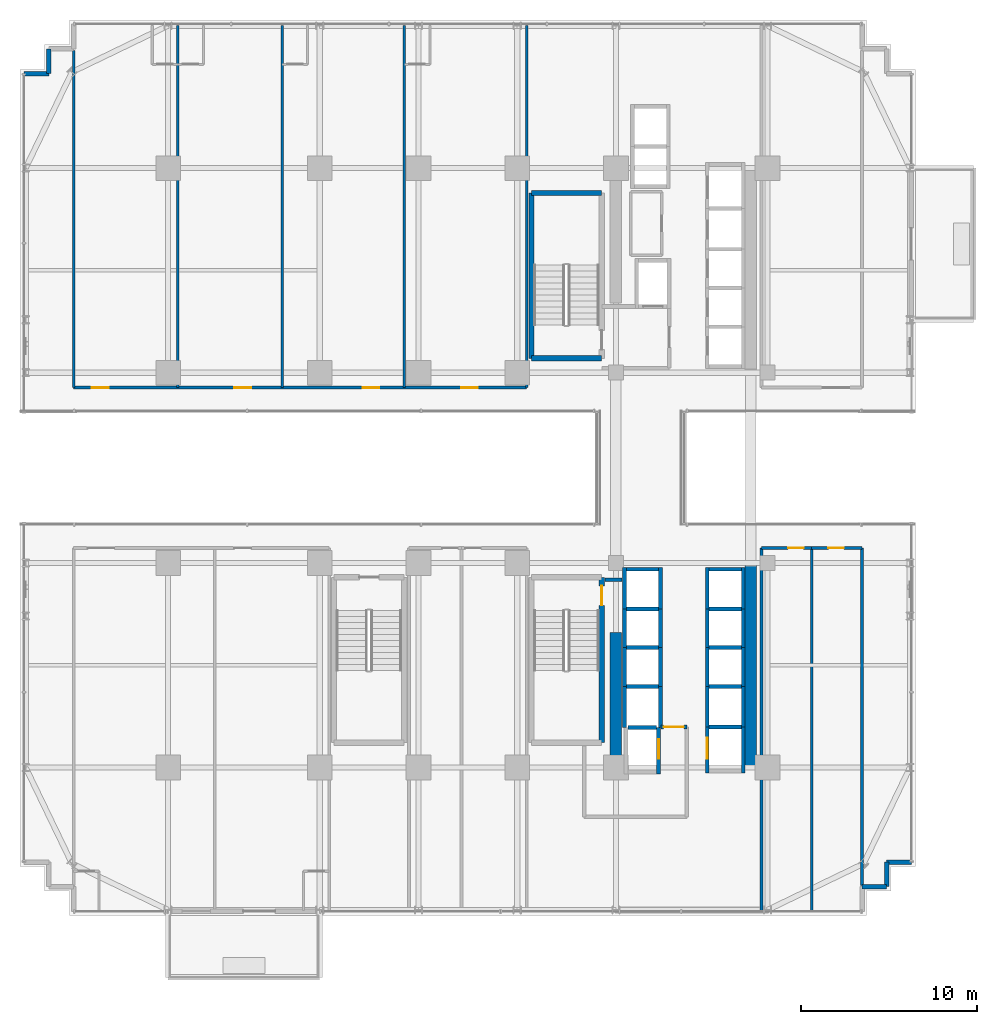
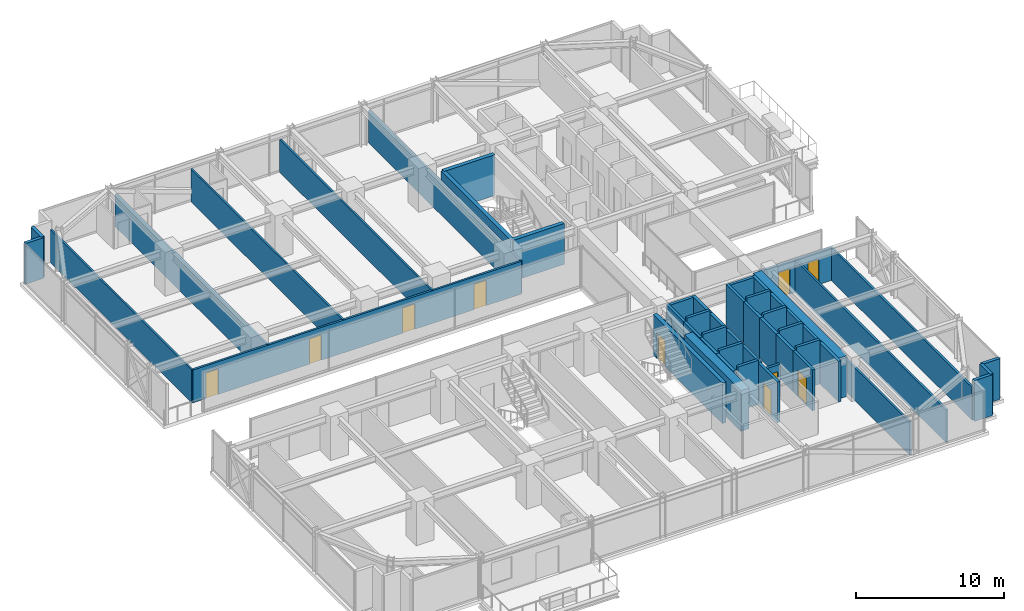
# One storey, part 36 of 43: 53 walls, 10 doors, 10 openings.
"""IFC4 building model written with IfcOpenShell, lengths in metres."""

import ifcopenshell
import ifcopenshell.guid

model = None  # the IFC model being written
_history = None  # IfcOwnerHistory: only IFC2X3 demands one
_inside = {}  # id of a spatial element -> (the spatial element, [elements in it])
_under = {}  # id of a project, library or spatial element -> (it, [spatial elements below it])
_declared = {}  # id of a project -> (the project, [libraries it declares])
_typed = {}  # id of a type object -> (the type object, [elements of that type])
_made_of = {}  # id of a material, layer set ... -> (it, [elements and type objects made of it])


def new_model(schema):
    """Start an empty IFC model of exactly this schema.

    Asked for "IFC4X3", IfcOpenShell would pick the latest addendum, in which some entities
    have other attributes; the version numbers below select the first issue.
    IFC2X3 requires an IfcOwnerHistory on every rooted entity: one is made here for all.
    """
    global model, _history
    if schema == "IFC4X3":
        model = ifcopenshell.file(schema_version=(4, 3, 0, 0))
    else:
        model = ifcopenshell.file(schema=schema)
    _inside.clear()
    _under.clear()
    _declared.clear()
    _typed.clear()
    _made_of.clear()
    _history = None
    if model.schema == "IFC2X3":
        org = make("IfcOrganization", Name="unknown")
        user = make(
            "IfcPersonAndOrganization",
            ThePerson=make("IfcPerson", FamilyName="unknown"),
            TheOrganization=org,
        )
        app = make(
            "IfcApplication",
            ApplicationDeveloper=org,
            Version="unknown",
            ApplicationFullName="unknown",
            ApplicationIdentifier="unknown",
        )
        _history = make(
            "IfcOwnerHistory",
            OwningUser=user,
            OwningApplication=app,
            ChangeAction="ADDED",
            CreationDate=0,
        )
    return model


def make(cls, **values):
    """One entity of the class cls with the attributes given. An attribute that is None is left unset."""
    return model.create_entity(
        cls, **{name: value for name, value in values.items() if value is not None}
    )


def rooted(cls, **values):
    """An entity with a GlobalId (a new one), such as an element, a storey or a relation."""
    return make(cls, GlobalId=ifcopenshell.guid.new(), OwnerHistory=_history, **values)


def si_unit(unit_type, name, prefix=None):
    """IfcSIUnit, for example si_unit("LENGTHUNIT", "METRE", prefix="MILLI")."""
    return make("IfcSIUnit", UnitType=unit_type, Prefix=prefix, Name=name)


def assignment(units):
    """IfcUnitAssignment: the units of a project."""
    return None if units is None else make("IfcUnitAssignment", Units=units)


def point(xyz):
    """IfcCartesianPoint."""
    return None if xyz is None else make("IfcCartesianPoint", Coordinates=xyz)


def direction(xyz):
    """IfcDirection."""
    return None if xyz is None else make("IfcDirection", DirectionRatios=xyz)


def frame(location, z_axis=None, x_axis=None):
    """IfcAxis2Placement3D, a coordinate frame: its origin and axes. An axis left out is left unset."""
    return make(
        "IfcAxis2Placement3D",
        Location=point(location),
        Axis=direction(z_axis),
        RefDirection=direction(x_axis),
    )


def frame_2d(location, x_axis=None):
    """IfcAxis2Placement2D, a coordinate frame in the plane: its origin and x axis."""
    return make(
        "IfcAxis2Placement2D", Location=point(location), RefDirection=direction(x_axis)
    )


def origin():
    """The frame at (0, 0, 0) with its axes left unset."""
    return frame((0.0, 0.0, 0.0))


def place(relative_to, where):
    """IfcLocalPlacement: puts the frame where relative to a parent placement (None: the world)."""
    return make(
        "IfcLocalPlacement", PlacementRelTo=relative_to, RelativePlacement=where
    )


def context(
    kind, dimensions, precision=None, world=None, true_north=None, identifier=None
):
    """IfcGeometricRepresentationContext, for example the 3D "Model" context."""
    return make(
        "IfcGeometricRepresentationContext",
        ContextIdentifier=identifier,
        ContextType=kind,
        CoordinateSpaceDimension=dimensions,
        Precision=precision,
        WorldCoordinateSystem=world,
        TrueNorth=true_north,
    )


def subcontext(parent, identifier, kind, view, scale=None):
    """IfcGeometricRepresentationSubContext, for example "Body" below "Model"."""
    return make(
        "IfcGeometricRepresentationSubContext",
        ContextIdentifier=identifier,
        ContextType=kind,
        ParentContext=parent,
        TargetScale=scale,
        TargetView=view,
    )


def project(units=None, contexts=None):
    """IfcProject with its units and contexts."""
    return rooted(
        "IfcProject",
        Name="project",
        RepresentationContexts=contexts,
        UnitsInContext=assignment(units),
    )


def spatial(cls, under=None, at=None, **own):
    """A site, building, storey or space (cls), placed at a placement, below another one or the project."""
    s = rooted(cls, ObjectPlacement=at, **own)
    if under is not None:
        _under.setdefault(under.id(), (under, []))[1].append(s)
    return s


def profile(cls, at=None, kind="AREA", **sizes):
    """A parametric profile (cls). Its sizes go by their IFC names, for example OverallWidth=200.0."""
    return make(cls, ProfileType=kind, Position=at, **sizes)


def rectangle(**sizes):
    """IfcRectangleProfileDef."""
    return profile("IfcRectangleProfileDef", **sizes)


def extrude(swept, where, along, depth):
    """IfcExtrudedAreaSolid: the profile swept, set in the frame where, extruded along a direction by depth."""
    return make(
        "IfcExtrudedAreaSolid",
        SweptArea=swept,
        Position=where,
        ExtrudedDirection=direction(along),
        Depth=depth,
    )


def shape(context_of_items, identifier, shape_type, items):
    """IfcShapeRepresentation: the items that make up one representation, for example the "Body"."""
    return make(
        "IfcShapeRepresentation",
        ContextOfItems=context_of_items,
        RepresentationIdentifier=identifier,
        RepresentationType=shape_type,
        Items=items,
    )


def source(mapping_origin, context_of_items, identifier, shape_type, items):
    """IfcRepresentationMap: a shape defined once, which mapped items show again and again."""
    return make(
        "IfcRepresentationMap",
        MappingOrigin=mapping_origin,
        MappedRepresentation=shape(context_of_items, identifier, shape_type, items),
    )


def transform(
    local_origin,
    x_axis=None,
    y_axis=None,
    z_axis=None,
    scale=None,
    scale2=None,
    scale3=None,
    uniform=True,
):
    """IfcCartesianTransformationOperator3D, or its non-uniform kind. x_axis, y_axis, z_axis: its Axis1, 2, 3."""
    if uniform:
        return make(
            "IfcCartesianTransformationOperator3D",
            Axis1=direction(x_axis),
            Axis2=direction(y_axis),
            LocalOrigin=point(local_origin),
            Scale=scale,
            Axis3=direction(z_axis),
        )
    return make(
        "IfcCartesianTransformationOperator3DnonUniform",
        Axis1=direction(x_axis),
        Axis2=direction(y_axis),
        LocalOrigin=point(local_origin),
        Scale=scale,
        Axis3=direction(z_axis),
        Scale2=scale2,
        Scale3=scale3,
    )


def mapped(mapping_source, mapping_target):
    """IfcMappedItem: shows the shape of a source again, moved by a transform."""
    return make(
        "IfcMappedItem", MappingSource=mapping_source, MappingTarget=mapping_target
    )


def material(Name=None, Category=None):
    """IfcMaterial."""
    return make("IfcMaterial", Name=Name, Category=Category)


def layer(
    of_material, thickness, ventilated=None, Name=None, Category=None, Priority=None
):
    """IfcMaterialLayer: one layer of a wall or slab, of a material (None: an air gap)."""
    return make(
        "IfcMaterialLayer",
        Material=of_material,
        LayerThickness=thickness,
        IsVentilated=ventilated,
        Name=Name,
        Category=Category,
        Priority=Priority,
    )


def layer_set(layers, Name=None):
    """IfcMaterialLayerSet."""
    return make("IfcMaterialLayerSet", MaterialLayers=layers, LayerSetName=Name)


def made_of(thing, what):
    """Note that an element or type object is made of a material, layer set ...; save() writes the relation."""
    if what is not None:
        _made_of.setdefault(what.id(), (what, []))[1].append(thing)
    return thing


def type_object(cls, material=None, **own):
    """A type object (cls), such as IfcWallType, which elements share."""
    return made_of(rooted(cls, **own), material)


def element(
    cls,
    number,
    at=None,
    inside=None,
    cuts=None,
    type_object=None,
    material=None,
    context=None,
    identifier="Body",
    shape_type=None,
    held_by="IfcProductDefinitionShape",
    body=None,
    shapes=None,
    **own,
):
    """One element of the class cls, such as IfcWall. Its Tag is "e" and its number.

    at: its placement. inside: the storey or other place that contains it. cuts: it is an
    opening in that element (IfcRelVoidsElement). A single representation is given by context,
    identifier, shape_type and body (its items); several are given by shapes. held_by: the class
    of the entity that holds the representations. save() writes the other relations.
    """
    e = rooted(cls, Tag="e%d" % number, ObjectPlacement=at, **own)
    if body is not None:
        shapes = [shape(context, identifier, shape_type, body)]
    if shapes is not None:
        e.Representation = make(held_by, Representations=shapes)
    if inside is not None:
        _inside.setdefault(inside.id(), (inside, []))[1].append(e)
    if cuts is not None:
        rooted(
            "IfcRelVoidsElement", RelatingBuildingElement=cuts, RelatedOpeningElement=e
        )
    if type_object is not None:
        _typed.setdefault(type_object.id(), (type_object, []))[1].append(e)
    return made_of(e, material)


def fill(opening, filler):
    """IfcRelFillsElement: the door or window that sits in an opening."""
    return rooted(
        "IfcRelFillsElement",
        RelatingOpeningElement=opening,
        RelatedBuildingElement=filler,
    )


def aggregate(whole, parts):
    """IfcRelAggregates: a whole, such as a stair, and the parts it consists of."""
    return rooted("IfcRelAggregates", RelatingObject=whole, RelatedObjects=parts)


def save(model, path):
    """Write the relations noted so far, then the file.

    IfcRelAggregates (storeys below a building ...), IfcRelContainedInSpatialStructure (elements
    in a storey), IfcRelDefinesByType, IfcRelAssociatesMaterial and IfcRelDeclares: one each for
    every whole, place, type object, material and project.
    """
    for whole, parts in _under.values():
        aggregate(whole, parts)
    for where, things in _inside.values():
        rooted(
            "IfcRelContainedInSpatialStructure",
            RelatedElements=things,
            RelatingStructure=where,
        )
    for kind, things in _typed.values():
        rooted("IfcRelDefinesByType", RelatedObjects=things, RelatingType=kind)
    for what, things in _made_of.values():
        rooted("IfcRelAssociatesMaterial", RelatedObjects=things, RelatingMaterial=what)
    for by, libraries in _declared.values():
        rooted("IfcRelDeclares", RelatingContext=by, RelatedDefinitions=libraries)
    model.write(path)


model = new_model("IFC4")

# Units and contexts
model_context = context("Model", 3, precision=1e-05, world=origin(), true_north=direction((0.0, 1.0)))
body_context = subcontext(model_context, "Body", "Model", "MODEL_VIEW")
ifc_project = project(units=[si_unit("LENGTHUNIT", "METRE"), si_unit("AREAUNIT", "SQUARE_METRE"), si_unit("VOLUMEUNIT", "CUBIC_METRE"), si_unit("PLANEANGLEUNIT", "RADIAN"), si_unit("MASSUNIT", "GRAM", prefix="KILO")], contexts=[model_context])

# Site, building, storey
site_placement = place(None, origin())
site = spatial("IfcSite", under=ifc_project, at=site_placement, CompositionType="ELEMENT")
building_placement = place(site_placement, origin())
building = spatial("IfcBuilding", under=site, at=building_placement, Name="Nahalor Promenade Grand Hotel", CompositionType="ELEMENT")
storey_placement = place(building_placement, frame((0.0, 0.0, 57.949951171875)))
storey = spatial("IfcBuildingStorey", under=building, at=storey_placement, Name="L13", CompositionType="ELEMENT", Elevation=57.949951171875)

# Walls
ifc_material_1 = material(Name="Concrete B-60 (C50/60)", Category="concrete")
ifc_layer_1 = layer(ifc_material_1, 0.64990234375)
ifc_layer_set_1 = layer_set([ifc_layer_1], Name="Concrete B-60 (C50/60)")
wall_type_1 = type_object("IfcWallType", Name="Wall-CoreShear-650", PredefinedType="SHEAR", material=ifc_layer_set_1)
shared_shape_1 = source(origin(), body_context, "Body", "SweptSolid", [
    extrude(rectangle(XDim=7.64990234375, YDim=0.64990234375, at=frame_2d((3.824951171875, 0.0))), origin(), (0.0, 0.0, 1.0), 3.3701171875),
])
wall_1_placement = place(storey_placement, frame((8.39990234375, -17.0, 0.0), z_axis=(0.0, 0.0, 1.0), x_axis=(0.0, 1.0, 0.0)))
element("IfcWall", 1, at=wall_1_placement, inside=storey, type_object=wall_type_1, Name="CWALL-L13-SW", PredefinedType="SHEAR", context=body_context, shape_type="MappedRepresentation", body=[
    mapped(shared_shape_1, transform((0.0, 0.0, 0.0), scale=1.0)),
])
shared_shape_2 = source(origin(), body_context, "Body", "SweptSolid", [
    extrude(rectangle(XDim=11.60009765625, YDim=0.64990234375, at=frame_2d((5.800048828125, 0.0))), origin(), (0.0, 0.0, 1.0), 3.3701171875),
])
wall_2_placement = place(storey_placement, frame((16.050048828125, -17.0, 0.0), z_axis=(0.0, 0.0, 1.0), x_axis=(0.0, 1.0, 0.0)))
element("IfcWall", 2, at=wall_2_placement, inside=storey, type_object=wall_type_1, Name="CWALL-L13-SE", PredefinedType="SHEAR", context=body_context, shape_type="MappedRepresentation", body=[
    mapped(shared_shape_2, transform((0.0, 0.0, 0.0), scale=1.0)),
])
ifc_material_2 = material(Name="Concrete B-50 (C40/50)", Category="concrete")
ifc_layer_2 = layer(ifc_material_2, 0.300048828125)
ifc_layer_set_2 = layer_set([ifc_layer_2], Name="Concrete B-50 (C40/50)")
wall_type_2 = type_object("IfcWallType", Name="Wall-ShaftShear-300", PredefinedType="SHEAR", material=ifc_layer_set_2)
shared_shape_3 = source(origin(), body_context, "Body", "SweptSolid", [
    extrude(rectangle(XDim=3.97998046875, YDim=0.300048828125, at=frame_2d((1.989990234375, 0.0))), origin(), (0.0, 0.0, 1.0), 3.3701171875),
])
for number, where, z_axis, x_axis, name in (
    (3, (3.610107421875, 6.2099609375, 0.0), (0.0, 0.0, 1.0), (1.0, 0.0, 0.0), "L13 Exit Stair ST1 Shaft Wall S"),
    (4, (3.610107421875, 15.590087890625, 0.0), (0.0, 0.0, 1.0), (1.0, 0.0, 0.0), "L13 Exit Stair ST1 Shaft Wall N"),
):
    element("IfcWall", number, at=place(storey_placement, frame(where, z_axis=z_axis, x_axis=x_axis)), inside=storey, type_object=wall_type_2, Name=name, PredefinedType="SHEAR", context=body_context, shape_type="MappedRepresentation", body=[
        mapped(shared_shape_3, transform((0.0, 0.0, 0.0), scale=1.0)),
    ])
shared_shape_4 = source(origin(), body_context, "Body", "SweptSolid", [
    extrude(rectangle(XDim=9.380126953125, YDim=0.300048828125, at=frame_2d((4.68994140625, 0.0))), origin(), (0.0, 0.0, 1.0), 3.3701171875),
])
wall_3_placement = place(storey_placement, frame((3.610107421875, 6.2099609375, 0.0), z_axis=(0.0, 0.0, 1.0), x_axis=(0.0, 1.0, 0.0)))
element("IfcWall", 5, at=wall_3_placement, inside=storey, type_object=wall_type_2, Name="L13 Exit Stair ST1 Shaft Wall W", PredefinedType="SHEAR", context=body_context, shape_type="MappedRepresentation", body=[
    mapped(shared_shape_4, transform((0.0, 0.0, 0.0), scale=1.0)),
])

# Wall, opening, door
wall_4_placement = place(storey_placement, frame((7.590087890625, -15.590087890625, 0.0), z_axis=(0.0, 0.0, 1.0), x_axis=(0.0, 1.0, 0.0)))
wall_4 = element("IfcWall", 6, at=wall_4_placement, inside=storey, type_object=wall_type_2, Name="L13 Exit Stair ST2 Shaft Wall E", PredefinedType="SHEAR", context=body_context, shape_type="MappedRepresentation", body=[
    mapped(shared_shape_4, transform((0.0, 0.0, 0.0), scale=1.0)),
])
opening_1_placement = place(wall_4_placement, frame((7.7900390625, 0.0, 0.0)))
opening_1 = element("IfcOpeningElement", 7, at=opening_1_placement, cuts=wall_4, Name="Opening D-ST1", PredefinedType="OPENING", context=body_context, shape_type="SweptSolid", body=[
    extrude(rectangle(XDim=1.10009765625, YDim=2.14990234375, at=frame_2d((0.550048828125, 1.074951171875))), frame((0.0, 0.159912109375, 0.0), z_axis=(0.0, -1.0, 0.0), x_axis=(1.0, 0.0, 0.0)), (0.0, 0.0, 1.0), 0.320068359375),
])
ifc_material_3 = material(Name="Steel S355JR", Category="steel")
door_type_1 = type_object("IfcDoorType", Name="Door-StairFire-1100", OperationType="NOTDEFINED", PredefinedType="DOOR", material=ifc_material_3)
shared_shape_5 = source(origin(), body_context, "Body", "SweptSolid", [
    extrude(rectangle(XDim=1.10009765625, YDim=2.14990234375, at=frame_2d((0.550048828125, 1.074951171875))), frame((0.0, 0.02490234375, 0.0), z_axis=(0.0, -1.0, 0.0), x_axis=(1.0, 0.0, 0.0)), (0.0, 0.0, 1.0), 0.050048828125),
])
door_1_placement = place(opening_1_placement, origin())
door_1 = element("IfcDoor", 8, at=door_1_placement, inside=storey, type_object=door_type_1, Name="DR-STAIR-ST2-L13", OperationType="SINGLE_SWING_RIGHT", OverallHeight=2.14990234375, OverallWidth=1.10009765625, PredefinedType="DOOR", context=body_context, shape_type="MappedRepresentation", body=[
    mapped(shared_shape_5, transform((0.0, 0.0, 0.0), scale=1.0)),
])
fill(opening_1, door_1)

# Walls
ifc_layer_3 = layer(ifc_material_2, 0.219970703125)
ifc_layer_set_3 = layer_set([ifc_layer_3], Name="Concrete B-50 (C40/50)")
wall_type_3 = type_object("IfcWallType", Name="Wall-LiftShaft-220", PredefinedType="SHEAR", material=ifc_layer_set_3)
shared_shape_6 = source(origin(), body_context, "Body", "SweptSolid", [
    extrude(rectangle(XDim=2.360107421875, YDim=0.219970703125, at=frame_2d((1.18017578125, 0.0))), origin(), (0.0, 0.0, 1.0), 3.3701171875),
])
for number, where, z_axis, x_axis, name in (
    (9, (13.580078125, -8.0, 0.0), (0.0, 0.0, 1.0), (0.0, 1.0, 0.0), "L13 Lift PL5 Hoistway Wall W"),
    (10, (15.6201171875, -8.0, 0.0), (0.0, 0.0, 1.0), (0.0, 1.0, 0.0), "L13 Lift PL5 Hoistway Wall E"),
    (11, (8.8798828125, -8.0, 0.0), (0.0, 0.0, 1.0), (0.0, 1.0, 0.0), "L13 Lift PL9 Hoistway Wall W"),
    (12, (10.919921875, -8.0, 0.0), (0.0, 0.0, 1.0), (0.0, 1.0, 0.0), "L13 Lift PL9 Hoistway Wall E"),
):
    element("IfcWall", number, at=place(storey_placement, frame(where, z_axis=z_axis, x_axis=x_axis)), inside=storey, type_object=wall_type_3, Name=name, PredefinedType="SHEAR", context=body_context, shape_type="MappedRepresentation", body=[
        mapped(shared_shape_6, transform((0.0, 0.0, 0.0), scale=1.0)),
    ])
shared_shape_7 = source(origin(), body_context, "Body", "SweptSolid", [
    extrude(rectangle(XDim=1.820068359375, YDim=0.219970703125, at=frame_2d((0.91015625, 0.0))), origin(), (0.0, 0.0, 1.0), 3.3701171875),
])
for number, where, z_axis, x_axis, name in (
    (13, (13.68994140625, -5.75, 0.0), (0.0, 0.0, 1.0), (1.0, 0.0, 0.0), "L13 Lift PL5 Hoistway Wall N"),
    (14, (8.989990234375, -5.75, 0.0), (0.0, 0.0, 1.0), (1.0, 0.0, 0.0), "L13 Lift PL9 Hoistway Wall N"),
):
    element("IfcWall", number, at=place(storey_placement, frame(where, z_axis=z_axis, x_axis=x_axis)), inside=storey, type_object=wall_type_3, Name=name, PredefinedType="SHEAR", context=body_context, shape_type="MappedRepresentation", body=[
        mapped(shared_shape_7, transform((0.0, 0.0, 0.0), scale=1.0)),
    ])
shared_shape_8 = source(origin(), body_context, "Body", "SweptSolid", [
    extrude(rectangle(XDim=1.820068359375, YDim=0.219970703125, at=frame_2d((0.91015625, 0.0))), origin(), (0.0, 0.0, 1.0), 3.650146484375),
])
for number, where, z_axis, x_axis, name in (
    (15, (13.68994140625, -8.0, 0.0), (0.0, 0.0, 1.0), (1.0, 0.0, 0.0), "L13 Lift PL6 Hoistway Wall N"),
    (16, (13.68994140625, -10.199951171875, 0.0), (0.0, 0.0, 1.0), (1.0, 0.0, 0.0), "L13 Lift PL7 Hoistway Wall N"),
    (17, (13.68994140625, -12.39990234375, 0.0), (0.0, 0.0, 1.0), (1.0, 0.0, 0.0), "L13 Lift PL8 Hoistway Wall N"),
    (18, (8.989990234375, -8.0, 0.0), (0.0, 0.0, 1.0), (1.0, 0.0, 0.0), "L13 Lift PL10 Hoistway Wall N"),
    (19, (8.989990234375, -10.199951171875, 0.0), (0.0, 0.0, 1.0), (1.0, 0.0, 0.0), "L13 Lift PL11 Hoistway Wall N"),
    (20, (8.989990234375, -12.39990234375, 0.0), (0.0, 0.0, 1.0), (1.0, 0.0, 0.0), "L13 Lift PL12 Hoistway Wall N"),
    (21, (13.68994140625, -14.699951171875, 0.0), (0.0, 0.0, 1.0), (1.0, 0.0, 0.0), "L13 Lift SV2 Hoistway Wall N"),
):
    element("IfcWall", number, at=place(storey_placement, frame(where, z_axis=z_axis, x_axis=x_axis)), inside=storey, type_object=wall_type_3, Name=name, PredefinedType="SHEAR", context=body_context, shape_type="MappedRepresentation", body=[
        mapped(shared_shape_8, transform((0.0, 0.0, 0.0), scale=1.0)),
    ])
shared_shape_9 = source(origin(), body_context, "Body", "SweptSolid", [
    extrude(rectangle(XDim=2.199951171875, YDim=0.219970703125, at=frame_2d((1.10009765625, 0.0))), origin(), (0.0, 0.0, 1.0), 3.3701171875),
])
for number, where, z_axis, x_axis, name in (
    (22, (13.580078125, -10.199951171875, 0.0), (0.0, 0.0, 1.0), (0.0, 1.0, 0.0), "L13 Lift PL6 Hoistway Wall W"),
    (23, (15.6201171875, -10.199951171875, 0.0), (0.0, 0.0, 1.0), (0.0, 1.0, 0.0), "L13 Lift PL6 Hoistway Wall E"),
    (24, (13.580078125, -12.39990234375, 0.0), (0.0, 0.0, 1.0), (0.0, 1.0, 0.0), "L13 Lift PL7 Hoistway Wall W"),
    (25, (15.6201171875, -12.39990234375, 0.0), (0.0, 0.0, 1.0), (0.0, 1.0, 0.0), "L13 Lift PL7 Hoistway Wall E"),
    (26, (8.8798828125, -10.199951171875, 0.0), (0.0, 0.0, 1.0), (0.0, 1.0, 0.0), "L13 Lift PL10 Hoistway Wall W"),
    (27, (10.919921875, -10.199951171875, 0.0), (0.0, 0.0, 1.0), (0.0, 1.0, 0.0), "L13 Lift PL10 Hoistway Wall E"),
    (28, (8.8798828125, -12.39990234375, 0.0), (0.0, 0.0, 1.0), (0.0, 1.0, 0.0), "L13 Lift PL11 Hoistway Wall W"),
    (29, (10.919921875, -12.39990234375, 0.0), (0.0, 0.0, 1.0), (0.0, 1.0, 0.0), "L13 Lift PL11 Hoistway Wall E"),
):
    element("IfcWall", number, at=place(storey_placement, frame(where, z_axis=z_axis, x_axis=x_axis)), inside=storey, type_object=wall_type_3, Name=name, PredefinedType="SHEAR", context=body_context, shape_type="MappedRepresentation", body=[
        mapped(shared_shape_9, transform((0.0, 0.0, 0.0), scale=1.0)),
    ])
shared_shape_10 = source(origin(), body_context, "Body", "SweptSolid", [
    extrude(rectangle(XDim=2.300048828125, YDim=0.219970703125, at=frame_2d((1.14990234375, 0.0))), origin(), (0.0, 0.0, 1.0), 3.3701171875),
])
for number, where, z_axis, x_axis, name in (
    (30, (13.580078125, -14.699951171875, 0.0), (0.0, 0.0, 1.0), (0.0, 1.0, 0.0), "L13 Lift PL8 Hoistway Wall W"),
    (31, (15.6201171875, -14.699951171875, 0.0), (0.0, 0.0, 1.0), (0.0, 1.0, 0.0), "L13 Lift PL8 Hoistway Wall E"),
):
    element("IfcWall", number, at=place(storey_placement, frame(where, z_axis=z_axis, x_axis=x_axis)), inside=storey, type_object=wall_type_3, Name=name, PredefinedType="SHEAR", context=body_context, shape_type="MappedRepresentation", body=[
        mapped(shared_shape_10, transform((0.0, 0.0, 0.0), scale=1.0)),
    ])
shared_shape_11 = source(origin(), body_context, "Body", "SweptSolid", [
    extrude(rectangle(XDim=2.3251953125, YDim=0.219970703125, at=frame_2d((1.16259765625, 0.0))), origin(), (0.0, 0.0, 1.0), 3.3701171875),
])
for number, where, z_axis, x_axis, name in (
    (32, (8.8798828125, -14.72509765625, 0.0), (0.0, 0.0, 1.0), (0.0, 1.0, 0.0), "L13 Lift PL12 Hoistway Wall W"),
    (33, (10.919921875, -14.72509765625, 0.0), (0.0, 0.0, 1.0), (0.0, 1.0, 0.0), "L13 Lift PL12 Hoistway Wall E"),
):
    element("IfcWall", number, at=place(storey_placement, frame(where, z_axis=z_axis, x_axis=x_axis)), inside=storey, type_object=wall_type_3, Name=name, PredefinedType="SHEAR", context=body_context, shape_type="MappedRepresentation", body=[
        mapped(shared_shape_11, transform((0.0, 0.0, 0.0), scale=1.0)),
    ])

# Wall, opening, door
shared_shape_12 = source(origin(), body_context, "Body", "SweptSolid", [
    extrude(rectangle(XDim=2.635009765625, YDim=0.219970703125, at=frame_2d((1.3173828125, 0.0))), origin(), (0.0, 0.0, 1.0), 3.3701171875),
])
wall_5_placement = place(storey_placement, frame((10.820068359375, -17.360107421875, 0.0), z_axis=(0.0, 0.0, 1.0), x_axis=(0.0, 1.0, 0.0)))
wall_5 = element("IfcWall", 34, at=wall_5_placement, inside=storey, type_object=wall_type_3, Name="L13 Lift FL2 Hoistway Wall E", PredefinedType="SHEAR", context=body_context, shape_type="MappedRepresentation", body=[
    mapped(shared_shape_12, transform((0.0, 0.0, 0.0), scale=1.0)),
])
opening_2_placement = place(wall_5_placement, frame((0.860107421875, 0.0, 0.0)))
opening_2 = element("IfcOpeningElement", 35, at=opening_2_placement, cuts=wall_5, Name="Opening LD-02", PredefinedType="OPENING", context=body_context, shape_type="SweptSolid", body=[
    extrude(rectangle(XDim=1.10009765625, YDim=2.199951171875, at=frame_2d((0.550048828125, 1.10009765625))), frame((0.0, 0.119873046875, 0.0), z_axis=(0.0, -1.0, 0.0), x_axis=(1.0, 0.0, 0.0)), (0.0, 0.0, 1.0), 0.239990234375),
])
door_type_2 = type_object("IfcDoorType", Name="Door-LiftFF-1100", OperationType="DOUBLE_DOOR_SLIDING", PredefinedType="DOOR", material=ifc_material_3)
shared_shape_13 = source(origin(), body_context, "Body", "SweptSolid", [
    extrude(rectangle(XDim=1.10009765625, YDim=2.199951171875, at=frame_2d((0.550048828125, 1.10009765625))), frame((0.0, 0.02490234375, 0.0), z_axis=(0.0, -1.0, 0.0), x_axis=(1.0, 0.0, 0.0)), (0.0, 0.0, 1.0), 0.050048828125),
])
door_2_placement = place(opening_2_placement, frame((1.10009765625, 0.0, 0.0), z_axis=(0.0, 0.0, 1.0), x_axis=(-1.0, 0.0, 0.0)))
door_2 = element("IfcDoor", 36, at=door_2_placement, inside=storey, type_object=door_type_2, Name="DR-LIFT-FL2-L13", OperationType="DOUBLE_DOOR_SLIDING", OverallHeight=2.199951171875, OverallWidth=1.10009765625, PredefinedType="DOOR", context=body_context, shape_type="MappedRepresentation", body=[
    mapped(shared_shape_13, transform((0.0, 0.0, 0.0), scale=1.0)),
])
fill(opening_2, door_2)

# Wall
shared_shape_14 = source(origin(), body_context, "Body", "SweptSolid", [
    extrude(rectangle(XDim=1.619873046875, YDim=0.219970703125, at=frame_2d((0.81005859375, 0.0))), origin(), (0.0, 0.0, 1.0), 3.650146484375),
])
wall_6_placement = place(storey_placement, frame((9.090087890625, -14.72509765625, 0.0), z_axis=(0.0, 0.0, 1.0), x_axis=(1.0, 0.0, 0.0)))
element("IfcWall", 37, at=wall_6_placement, inside=storey, type_object=wall_type_3, Name="L13 Lift FL2 Hoistway Wall N", PredefinedType="SHEAR", context=body_context, shape_type="MappedRepresentation", body=[
    mapped(shared_shape_14, transform((0.0, 0.0, 0.0), scale=1.0)),
])

# Wall, opening, door
shared_shape_15 = source(origin(), body_context, "Body", "SweptSolid", [
    extrude(rectangle(XDim=2.610107421875, YDim=0.219970703125, at=frame_2d((1.30517578125, 0.0))), origin(), (0.0, 0.0, 1.0), 3.3701171875),
])
wall_7_placement = place(storey_placement, frame((13.580078125, -17.31005859375, 0.0), z_axis=(0.0, 0.0, 1.0), x_axis=(0.0, 1.0, 0.0)))
wall_7 = element("IfcWall", 38, at=wall_7_placement, inside=storey, type_object=wall_type_3, Name="L13 Lift SV2 Hoistway Wall W", PredefinedType="SHEAR", context=body_context, shape_type="MappedRepresentation", body=[
    mapped(shared_shape_15, transform((0.0, 0.0, 0.0), scale=1.0)),
])
opening_3_placement = place(wall_7_placement, frame((0.81005859375, 0.0, 0.0)))
opening_3 = element("IfcOpeningElement", 39, at=opening_3_placement, cuts=wall_7, Name="Opening LD-03", PredefinedType="OPENING", context=body_context, shape_type="SweptSolid", body=[
    extrude(rectangle(XDim=1.199951171875, YDim=2.199951171875, at=frame_2d((0.60009765625, 1.10009765625))), frame((0.0, 0.119873046875, 0.0), z_axis=(0.0, -1.0, 0.0), x_axis=(1.0, 0.0, 0.0)), (0.0, 0.0, 1.0), 0.239990234375),
])
door_type_3 = type_object("IfcDoorType", Name="Door-LiftService-1200", OperationType="DOUBLE_DOOR_SLIDING", PredefinedType="DOOR", material=ifc_material_3)
shared_shape_16 = source(origin(), body_context, "Body", "SweptSolid", [
    extrude(rectangle(XDim=1.199951171875, YDim=2.199951171875, at=frame_2d((0.60009765625, 1.10009765625))), frame((0.0, 0.02490234375, 0.0), z_axis=(0.0, -1.0, 0.0), x_axis=(1.0, 0.0, 0.0)), (0.0, 0.0, 1.0), 0.050048828125),
])
door_3_placement = place(opening_3_placement, origin())
door_3 = element("IfcDoor", 40, at=door_3_placement, inside=storey, type_object=door_type_3, Name="DR-LIFT-SV2-L13", OperationType="DOUBLE_DOOR_SLIDING", OverallHeight=2.199951171875, OverallWidth=1.199951171875, PredefinedType="DOOR", context=body_context, shape_type="MappedRepresentation", body=[
    mapped(shared_shape_16, transform((0.0, 0.0, 0.0), scale=1.0)),
])
fill(opening_3, door_3)

# Walls
wall_8_placement = place(storey_placement, frame((15.6201171875, -17.31005859375, 0.0), z_axis=(0.0, 0.0, 1.0), x_axis=(0.0, 1.0, 0.0)))
element("IfcWall", 41, at=wall_8_placement, inside=storey, type_object=wall_type_3, Name="L13 Lift SV2 Hoistway Wall E", PredefinedType="SHEAR", context=body_context, shape_type="MappedRepresentation", body=[
    mapped(shared_shape_15, transform((0.0, 0.0, 0.0), scale=1.0)),
])
ifc_material_4 = material(Name="Concrete B-40 (C32/40)", Category="concrete")
ifc_layer_4 = layer(ifc_material_4, 0.25)
ifc_layer_set_4 = layer_set([ifc_layer_4], Name="Concrete B-40 (C32/40)")
wall_type_4 = type_object("IfcWallType", Name="Wall-BronzePier-250", PredefinedType="STANDARD", material=ifc_layer_set_4)
shared_shape_17 = source(origin(), body_context, "Body", "SweptSolid", [
    extrude(rectangle(XDim=1.39990234375, YDim=0.25, at=frame_2d((0.699951171875, 0.0))), origin(), (0.0, 0.0, 1.0), 3.3701171875),
])
for number, where, z_axis, x_axis, name in (
    (42, (22.360107421875, -23.760009765625, 0.0), (0.0, 0.0, 1.0), (1.0, 0.0, 0.0), "W-L13-SR-02"),
    (43, (23.760009765625, -23.760009765625, 0.0), (0.0, 0.0, 1.0), (0.0, 1.0, 0.0), "W-L13-SR-03"),
    (44, (23.760009765625, -22.360107421875, 0.0), (0.0, 0.0, 1.0), (1.0, 0.0, 0.0), "W-L13-SR-04"),
    (45, (-23.760009765625, 22.360107421875, 0.0), (0.0, 0.0, 1.0), (0.0, 1.0, 0.0), "W-L13-SR-11"),
    (46, (-25.159912109375, 22.360107421875, 0.0), (0.0, 0.0, 1.0), (1.0, 0.0, 0.0), "W-L13-SR-12"),
):
    element("IfcWall", number, at=place(storey_placement, frame(where, z_axis=z_axis, x_axis=x_axis)), inside=storey, type_object=wall_type_4, Name=name, PredefinedType="STANDARD", context=body_context, shape_type="MappedRepresentation", body=[
        mapped(shared_shape_17, transform((0.0, 0.0, 0.0), scale=1.0)),
    ])

# Wall, opening, door
ifc_layer_5 = layer(ifc_material_4, 0.199951171875)
ifc_layer_set_5 = layer_set([ifc_layer_5], Name="Concrete B-40 (C32/40)")
wall_type_5 = type_object("IfcWallType", Name="Wall-PartFire-200", PredefinedType="PARTITIONING", material=ifc_layer_set_5)
shared_shape_18 = source(origin(), body_context, "Body", "SweptSolid", [
    extrude(rectangle(XDim=1.4599609375, YDim=0.199951171875, at=frame_2d((0.72998046875, 0.0))), origin(), (0.0, 0.0, 1.0), 2.7099609375),
])
wall_9_placement = place(storey_placement, frame((10.9599609375, -14.699951171875, 0.0), z_axis=(0.0, 0.0, 1.0), x_axis=(1.0, 0.0, 0.0)))
wall_9 = element("IfcWall", 47, at=wall_9_placement, inside=storey, type_object=wall_type_5, Name="W-L13-FF2-N1", PredefinedType="PARTITIONING", context=body_context, shape_type="MappedRepresentation", body=[
    mapped(shared_shape_18, transform((0.0, 0.0, 0.0), scale=1.0)),
])
opening_4_placement = place(wall_9_placement, frame((0.14501953125, 0.0, 0.0)))
opening_4 = element("IfcOpeningElement", 48, at=opening_4_placement, cuts=wall_9, Name="Opening D-FF1", PredefinedType="OPENING", context=body_context, shape_type="SweptSolid", body=[
    extrude(rectangle(XDim=1.14990234375, YDim=2.14990234375, at=frame_2d((0.574951171875, 1.074951171875))), frame((0.0, 0.10986328125, 0.0), z_axis=(0.0, -1.0, 0.0), x_axis=(1.0, 0.0, 0.0)), (0.0, 0.0, 1.0), 0.219970703125),
])
door_type_4 = type_object("IfcDoorType", Name="Door-FFLobby-1150", OperationType="NOTDEFINED", PredefinedType="DOOR", material=ifc_material_3)
shared_shape_19 = source(origin(), body_context, "Body", "SweptSolid", [
    extrude(rectangle(XDim=1.14990234375, YDim=2.14990234375, at=frame_2d((0.574951171875, 1.074951171875))), frame((0.0, 0.02490234375, 0.0), z_axis=(0.0, -1.0, 0.0), x_axis=(1.0, 0.0, 0.0)), (0.0, 0.0, 1.0), 0.050048828125),
])
door_4_placement = place(opening_4_placement, origin())
door_4 = element("IfcDoor", 49, at=door_4_placement, inside=storey, type_object=door_type_4, Name="DR-L13-FFL2", OperationType="SINGLE_SWING_LEFT", OverallHeight=2.14990234375, OverallWidth=1.14990234375, PredefinedType="DOOR", context=body_context, shape_type="MappedRepresentation", body=[
    mapped(shared_shape_19, transform((0.0, 0.0, 0.0), scale=1.0)),
])
fill(opening_4, door_4)

# Walls
shared_shape_20 = source(origin(), body_context, "Body", "SweptSolid", [
    extrude(rectangle(XDim=0.969970703125, YDim=0.199951171875, at=frame_2d((0.48486328125, 0.0))), origin(), (0.0, 0.0, 1.0), 2.7099609375),
])
wall_10_placement = place(storey_placement, frame((7.77001953125, -6.35009765625, 0.0), z_axis=(0.0, 0.0, 1.0), x_axis=(1.0, 0.0, 0.0)))
element("IfcWall", 50, at=wall_10_placement, inside=storey, type_object=wall_type_5, Name="W-L13-FF2-N2", PredefinedType="PARTITIONING", context=body_context, shape_type="MappedRepresentation", body=[
    mapped(shared_shape_20, transform((0.0, 0.0, 0.0), scale=1.0)),
])
ifc_material_5 = material(Name="Acoustic Mineral Gypsum", Category="gypsum")
ifc_layer_6 = layer(ifc_material_5, 0.159912109375)
ifc_layer_set_6 = layer_set([ifc_layer_6], Name="Acoustic Mineral Gypsum")
wall_type_6 = type_object("IfcWallType", Name="Wall-PartCorridor-160", PredefinedType="PARTITIONING", material=ifc_layer_set_6)
shared_shape_21 = source(origin(), body_context, "Body", "SweptSolid", [
    extrude(rectangle(XDim=20.550048828125, YDim=0.159912109375, at=frame_2d((10.27490234375, 0.0))), origin(), (0.0, 0.0, 1.0), 2.7099609375),
])
for number, where, z_axis, x_axis, name in (
    (51, (16.64990234375, -25.10009765625, 0.0), (0.0, 0.0, 1.0), (0.0, 1.0, 0.0), "W-L13-ESE1-W"),
    (52, (19.5048828125, -25.10009765625, 0.0), (0.0, 0.0, 1.0), (0.0, 1.0, 0.0), "W-L13-ESE1-E"),
):
    element("IfcWall", number, at=place(storey_placement, frame(where, z_axis=z_axis, x_axis=x_axis)), inside=storey, type_object=wall_type_6, Name=name, PredefinedType="PARTITIONING", context=body_context, shape_type="MappedRepresentation", body=[
        mapped(shared_shape_21, transform((0.0, 0.0, 0.0), scale=1.0)),
    ])
shared_shape_22 = source(origin(), body_context, "Body", "SweptSolid", [
    extrude(rectangle(XDim=19.1298828125, YDim=0.159912109375, at=frame_2d((9.56494140625, 0.0))), origin(), (0.0, 0.0, 1.0), 2.7099609375),
])
wall_11_placement = place(storey_placement, frame((22.360107421875, -23.679931640625, 0.0), z_axis=(0.0, 0.0, 1.0), x_axis=(0.0, 1.0, 0.0)))
element("IfcWall", 53, at=wall_11_placement, inside=storey, type_object=wall_type_6, Name="W-L13-ESE2-E", PredefinedType="PARTITIONING", context=body_context, shape_type="MappedRepresentation", body=[
    mapped(shared_shape_22, transform((0.0, 0.0, 0.0), scale=1.0)),
])

# Wall, openings, doors
shared_shape_23 = source(origin(), body_context, "Body", "SweptSolid", [
    extrude(rectangle(XDim=25.7001953125, YDim=0.159912109375, at=frame_2d((12.85009765625, 0.0))), origin(), (0.0, 0.0, 1.0), 2.7099609375),
])
wall_12_placement = place(storey_placement, frame((-22.360107421875, 4.550048828125, 0.0), z_axis=(0.0, 0.0, 1.0), x_axis=(1.0, 0.0, 0.0)))
wall_12 = element("IfcWall", 54, at=wall_12_placement, inside=storey, type_object=wall_type_6, Name="W-L13-CORR-N", PredefinedType="PARTITIONING", context=body_context, shape_type="MappedRepresentation", body=[
    mapped(shared_shape_23, transform((0.0, 0.0, 0.0), scale=1.0)),
])
opening_5_placement = place(wall_12_placement, frame((1.037109375, 0.0, 0.0)))
opening_5 = element("IfcOpeningElement", 55, at=opening_5_placement, cuts=wall_12, Name="Opening D-01", PredefinedType="OPENING", context=body_context, shape_type="SweptSolid", body=[
    extrude(rectangle(XDim=0.949951171875, YDim=2.10009765625, at=frame_2d((0.47509765625, 1.050048828125))), frame((0.0, 0.08984375, 0.0), z_axis=(0.0, -1.0, 0.0), x_axis=(1.0, 0.0, 0.0)), (0.0, 0.0, 1.0), 0.179931640625),
])
opening_6_placement = place(wall_12_placement, frame((9.113037109375, 0.0, 0.0)))
opening_6 = element("IfcOpeningElement", 56, at=opening_6_placement, cuts=wall_12, Name="Opening D-01", PredefinedType="OPENING", context=body_context, shape_type="SweptSolid", body=[
    extrude(rectangle(XDim=0.949951171875, YDim=2.10009765625, at=frame_2d((0.47509765625, 1.050048828125))), frame((0.0, 0.08984375, 0.0), z_axis=(0.0, -1.0, 0.0), x_axis=(1.0, 0.0, 0.0)), (0.0, 0.0, 1.0), 0.179931640625),
])
opening_7_placement = place(wall_12_placement, frame((16.39306640625, 0.0, 0.0)))
opening_7 = element("IfcOpeningElement", 57, at=opening_7_placement, cuts=wall_12, Name="Opening D-01", PredefinedType="OPENING", context=body_context, shape_type="SweptSolid", body=[
    extrude(rectangle(XDim=0.949951171875, YDim=2.10009765625, at=frame_2d((0.47509765625, 1.050048828125))), frame((0.0, 0.08984375, 0.0), z_axis=(0.0, -1.0, 0.0), x_axis=(1.0, 0.0, 0.0)), (0.0, 0.0, 1.0), 0.179931640625),
])
opening_8_placement = place(wall_12_placement, frame((21.98095703125, 0.0, 0.0)))
opening_8 = element("IfcOpeningElement", 58, at=opening_8_placement, cuts=wall_12, Name="Opening D-01", PredefinedType="OPENING", context=body_context, shape_type="SweptSolid", body=[
    extrude(rectangle(XDim=0.949951171875, YDim=2.10009765625, at=frame_2d((0.47509765625, 1.050048828125))), frame((0.0, 0.08984375, 0.0), z_axis=(0.0, -1.0, 0.0), x_axis=(1.0, 0.0, 0.0)), (0.0, 0.0, 1.0), 0.179931640625),
])
ifc_material_6 = material(Name="Fire-Rated Timber Composite", Category="wood")
door_type_5 = type_object("IfcDoorType", Name="Door-GuestEntry-950", OperationType="NOTDEFINED", PredefinedType="DOOR", material=ifc_material_6)
shared_shape_24 = source(origin(), body_context, "Body", "SweptSolid", [
    extrude(rectangle(XDim=0.949951171875, YDim=2.10009765625, at=frame_2d((0.47509765625, 1.050048828125))), frame((0.0, 0.02490234375, 0.0), z_axis=(0.0, -1.0, 0.0), x_axis=(1.0, 0.0, 0.0)), (0.0, 0.0, 1.0), 0.050048828125),
])
door_5_placement = place(opening_5_placement, origin())
door_5 = element("IfcDoor", 59, at=door_5_placement, inside=storey, type_object=door_type_5, Name="DR-L13-N1-ENT", OperationType="SINGLE_SWING_RIGHT", OverallHeight=2.10009765625, OverallWidth=0.949951171875, PredefinedType="DOOR", context=body_context, shape_type="MappedRepresentation", body=[
    mapped(shared_shape_24, transform((0.0, 0.0, 0.0), scale=1.0)),
])
fill(opening_5, door_5)
door_6_placement = place(opening_6_placement, origin())
door_6 = element("IfcDoor", 60, at=door_6_placement, inside=storey, type_object=door_type_5, Name="DR-L13-N2-ENT", OperationType="SINGLE_SWING_RIGHT", OverallHeight=2.10009765625, OverallWidth=0.949951171875, PredefinedType="DOOR", context=body_context, shape_type="MappedRepresentation", body=[
    mapped(shared_shape_24, transform((0.0, 0.0, 0.0), scale=1.0)),
])
fill(opening_6, door_6)
door_7_placement = place(opening_7_placement, origin())
door_7 = element("IfcDoor", 61, at=door_7_placement, inside=storey, type_object=door_type_5, Name="DR-L13-N3-ENT", OperationType="SINGLE_SWING_RIGHT", OverallHeight=2.10009765625, OverallWidth=0.949951171875, PredefinedType="DOOR", context=body_context, shape_type="MappedRepresentation", body=[
    mapped(shared_shape_24, transform((0.0, 0.0, 0.0), scale=1.0)),
])
fill(opening_7, door_7)
door_8_placement = place(opening_8_placement, origin())
door_8 = element("IfcDoor", 62, at=door_8_placement, inside=storey, type_object=door_type_5, Name="DR-L13-N4-ENT", OperationType="SINGLE_SWING_RIGHT", OverallHeight=2.10009765625, OverallWidth=0.949951171875, PredefinedType="DOOR", context=body_context, shape_type="MappedRepresentation", body=[
    mapped(shared_shape_24, transform((0.0, 0.0, 0.0), scale=1.0)),
])
fill(opening_8, door_8)

# Walls
ifc_layer_7 = layer(ifc_material_5, 0.139892578125)
ifc_layer_set_7 = layer_set([ifc_layer_7], Name="Acoustic Mineral Gypsum")
wall_type_7 = type_object("IfcWallType", Name="Wall-PartSuite-140", PredefinedType="PARTITIONING", material=ifc_layer_set_7)
shared_shape_25 = source(origin(), body_context, "Body", "SweptSolid", [
    extrude(rectangle(XDim=19.1298828125, YDim=0.139892578125, at=frame_2d((9.56494140625, 0.0))), origin(), (0.0, 0.0, 1.0), 2.7099609375),
])
wall_13_placement = place(storey_placement, frame((-22.360107421875, 4.550048828125, 0.0), z_axis=(0.0, 0.0, 1.0), x_axis=(0.0, 1.0, 0.0)))
element("IfcWall", 63, at=wall_13_placement, inside=storey, type_object=wall_type_7, Name="W-L13-NW-ENDW", PredefinedType="PARTITIONING", context=body_context, shape_type="MappedRepresentation", body=[
    mapped(shared_shape_25, transform((0.0, 0.0, 0.0), scale=1.0)),
])
shared_shape_26 = source(origin(), body_context, "Body", "SweptSolid", [
    extrude(rectangle(XDim=20.550048828125, YDim=0.139892578125, at=frame_2d((10.27490234375, 0.0))), origin(), (0.0, 0.0, 1.0), 2.7099609375),
])
for number, where, z_axis, x_axis, name in (
    (64, (3.340087890625, 4.550048828125, 0.0), (0.0, 0.0, 1.0), (0.0, 1.0, 0.0), "W-L13-NW-ENDE"),
    (65, (-16.448974609375, 4.550048828125, 0.0), (0.0, 0.0, 1.0), (0.0, 1.0, 0.0), "W-L13-NP-1"),
    (66, (-10.5380859375, 4.550048828125, 0.0), (0.0, 0.0, 1.0), (0.0, 1.0, 0.0), "W-L13-NP-2"),
    (67, (-3.59912109375, 4.550048828125, 0.0), (0.0, 0.0, 1.0), (0.0, 1.0, 0.0), "W-L13-NP-3"),
):
    element("IfcWall", number, at=place(storey_placement, frame(where, z_axis=z_axis, x_axis=x_axis)), inside=storey, type_object=wall_type_7, Name=name, PredefinedType="PARTITIONING", context=body_context, shape_type="MappedRepresentation", body=[
        mapped(shared_shape_26, transform((0.0, 0.0, 0.0), scale=1.0)),
    ])

# Wall, opening, door
shared_shape_27 = source(origin(), body_context, "Body", "SweptSolid", [
    extrude(rectangle(XDim=2.85498046875, YDim=0.159912109375, at=frame_2d((1.427490234375, 0.0))), origin(), (0.0, 0.0, 1.0), 2.7099609375),
])
wall_14_placement = place(storey_placement, frame((16.64990234375, -4.550048828125, 0.0), z_axis=(0.0, 0.0, 1.0), x_axis=(1.0, 0.0, 0.0)))
wall_14 = element("IfcWall", 68, at=wall_14_placement, inside=storey, type_object=wall_type_6, Name="W-L13-ESE1-N", PredefinedType="PARTITIONING", context=body_context, shape_type="MappedRepresentation", body=[
    mapped(shared_shape_27, transform((0.0, 0.0, 0.0), scale=1.0)),
])
opening_9_placement = place(wall_14_placement, frame((1.510986328125, 0.0, 0.0)))
opening_9 = element("IfcOpeningElement", 69, at=opening_9_placement, cuts=wall_14, Name="Opening D-03", PredefinedType="OPENING", context=body_context, shape_type="SweptSolid", body=[
    extrude(rectangle(XDim=0.8798828125, YDim=2.10009765625, at=frame_2d((0.43994140625, 1.050048828125))), frame((0.0, 0.08984375, 0.0), z_axis=(0.0, -1.0, 0.0), x_axis=(1.0, 0.0, 0.0)), (0.0, 0.0, 1.0), 0.179931640625),
])
door_type_6 = type_object("IfcDoorType", Name="Door-BathSwing-880", OperationType="NOTDEFINED", PredefinedType="DOOR", material=ifc_material_6)
shared_shape_28 = source(origin(), body_context, "Body", "SweptSolid", [
    extrude(rectangle(XDim=0.8798828125, YDim=2.10009765625, at=frame_2d((0.43994140625, 1.050048828125))), frame((0.0, 0.02490234375, 0.0), z_axis=(0.0, -1.0, 0.0), x_axis=(1.0, 0.0, 0.0)), (0.0, 0.0, 1.0), 0.050048828125),
])
door_9_placement = place(opening_9_placement, frame((0.8798828125, 0.0, 0.0), z_axis=(0.0, 0.0, 1.0), x_axis=(-1.0, 0.0, 0.0)))
door_9 = element("IfcDoor", 70, at=door_9_placement, inside=storey, type_object=door_type_6, Name="DR-L13-ESE1", OperationType="SINGLE_SWING_LEFT", OverallHeight=2.10009765625, OverallWidth=0.8798828125, PredefinedType="DOOR", context=body_context, shape_type="MappedRepresentation", body=[
    mapped(shared_shape_28, transform((0.0, 0.0, 0.0), scale=1.0)),
])
fill(opening_9, door_9)

shared_shape_29 = source(origin(), body_context, "Body", "SweptSolid", [
    extrude(rectangle(XDim=2.855224609375, YDim=0.159912109375, at=frame_2d((1.427734375, 0.0))), origin(), (0.0, 0.0, 1.0), 2.7099609375),
])
wall_15_placement = place(storey_placement, frame((19.5048828125, -4.550048828125, 0.0), z_axis=(0.0, 0.0, 1.0), x_axis=(1.0, 0.0, 0.0)))
wall_15 = element("IfcWall", 71, at=wall_15_placement, inside=storey, type_object=wall_type_6, Name="W-L13-ESE2-N", PredefinedType="PARTITIONING", context=body_context, shape_type="MappedRepresentation", body=[
    mapped(shared_shape_29, transform((0.0, 0.0, 0.0), scale=1.0)),
])
opening_10_placement = place(wall_15_placement, frame((0.93994140625, 0.0, 0.0)))
opening_10 = element("IfcOpeningElement", 72, at=opening_10_placement, cuts=wall_15, Name="Opening D-03", PredefinedType="OPENING", context=body_context, shape_type="SweptSolid", body=[
    extrude(rectangle(XDim=0.8798828125, YDim=2.10009765625, at=frame_2d((0.43994140625, 1.050048828125))), frame((0.0, 0.08984375, 0.0), z_axis=(0.0, -1.0, 0.0), x_axis=(1.0, 0.0, 0.0)), (0.0, 0.0, 1.0), 0.179931640625),
])
door_10_placement = place(opening_10_placement, frame((0.8798828125, 0.0, 0.0), z_axis=(0.0, 0.0, 1.0), x_axis=(-1.0, 0.0, 0.0)))
door_10 = element("IfcDoor", 73, at=door_10_placement, inside=storey, type_object=door_type_6, Name="DR-L13-ESE2", OperationType="SINGLE_SWING_RIGHT", OverallHeight=2.10009765625, OverallWidth=0.8798828125, PredefinedType="DOOR", context=body_context, shape_type="MappedRepresentation", body=[
    mapped(shared_shape_28, transform((0.0, 0.0, 0.0), scale=1.0)),
])
fill(opening_10, door_10)

save(model, "model.ifc")
